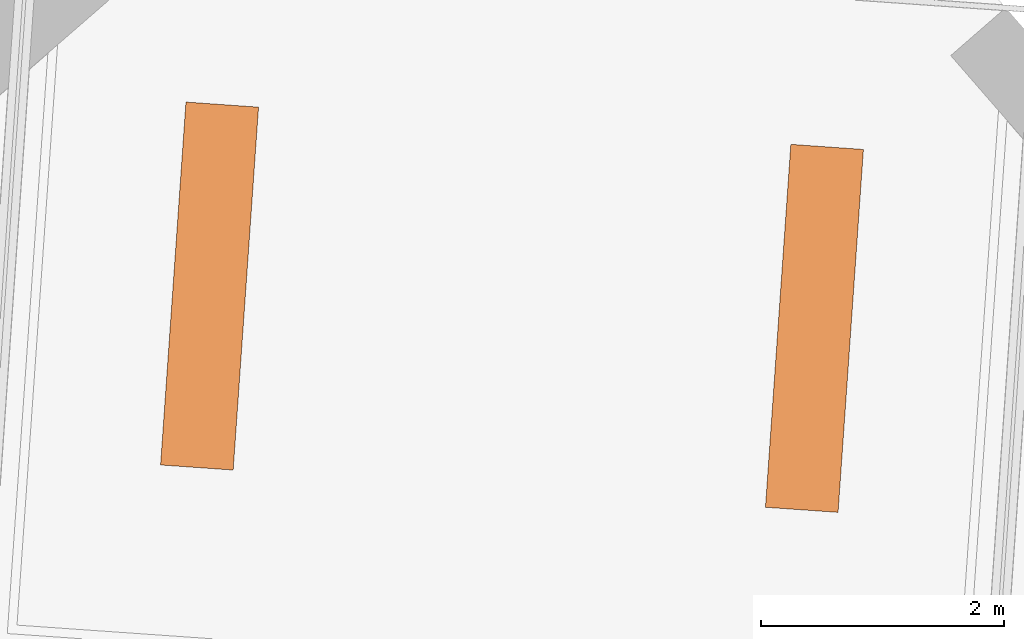
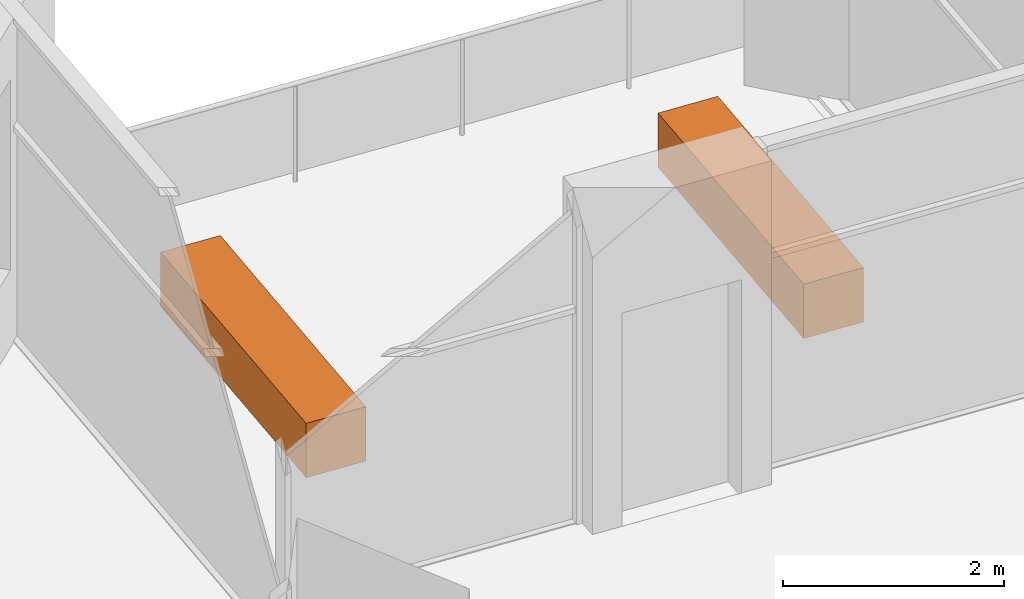
# One storey, part 11 of 11: 2 proxies.
"""IFC4 building model written with IfcOpenShell, lengths in metres."""

from ifc_helpers import new_model, si_unit, direction, frame, origin, origin_2d, place, context, subcontext, project, spatial, rectangle, extrude, element, save


model = new_model("IFC4")

# Units and contexts
model_context = context("Model", 3, precision=1e-05, world=origin(), true_north=direction((0.0, 1.0)))
body_context = subcontext(model_context, "Body", "Model", "MODEL_VIEW")
ifc_project = project(units=[si_unit("LENGTHUNIT", "METRE"), si_unit("AREAUNIT", "SQUARE_METRE"), si_unit("VOLUMEUNIT", "CUBIC_METRE"), si_unit("PLANEANGLEUNIT", "RADIAN"), si_unit("MASSUNIT", "GRAM", prefix="KILO")], contexts=[model_context])

# Site, building, storey
site_placement = place(None, origin())
site = spatial("IfcSite", under=ifc_project, at=site_placement, CompositionType="ELEMENT")
building_placement = place(site_placement, origin())
building = spatial("IfcBuilding", under=site, at=building_placement, Name="Dilmun Exchange Tower", CompositionType="ELEMENT")
storey_placement = place(building_placement, frame((0.0, 0.0, 193.300048828125)))
storey = spatial("IfcBuildingStorey", under=building, at=storey_placement, Name="L45", CompositionType="ELEMENT", Elevation=193.300048828125)

# Proxies
for number, where, z_axis, x_axis, name in (
    (1, (8.27099609375, 31.755615234375, 0.0), (0.0, 0.0, 1.0), (0.069756473744, 0.99756405026, 0.0), "PLANTER Desert shrub L45.1"),
    (2, (3.282958984375, 32.1044921875, 0.0), (0.0, 0.0, 1.0), (0.069756473744, 0.99756405026, 0.0), "PLANTER Desert shrub L45.2"),
):
    element("IfcBuildingElementProxy", number, at=place(storey_placement, frame(where, z_axis=z_axis, x_axis=x_axis)), inside=storey, Name=name, ObjectType="PLANTER", PredefinedType="USERDEFINED", context=body_context, shape_type="SweptSolid", body=[
        extrude(rectangle(XDim=3.0, YDim=0.60009765625, at=origin_2d()), origin(), (0.0, 0.0, 1.0), 0.60009765625),
    ])

save(model, "model.ifc")
